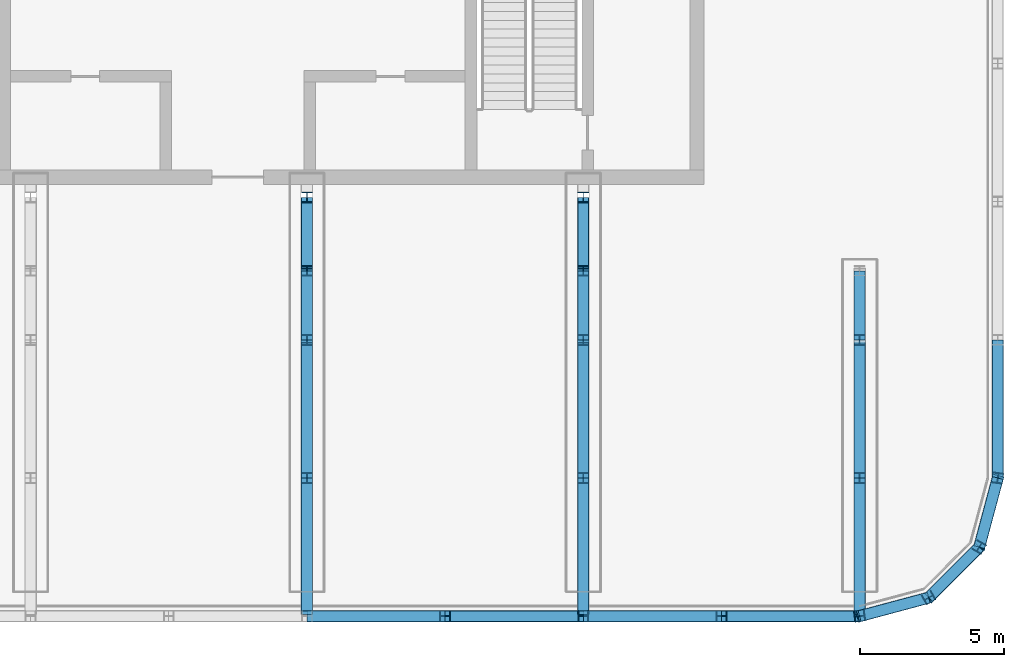
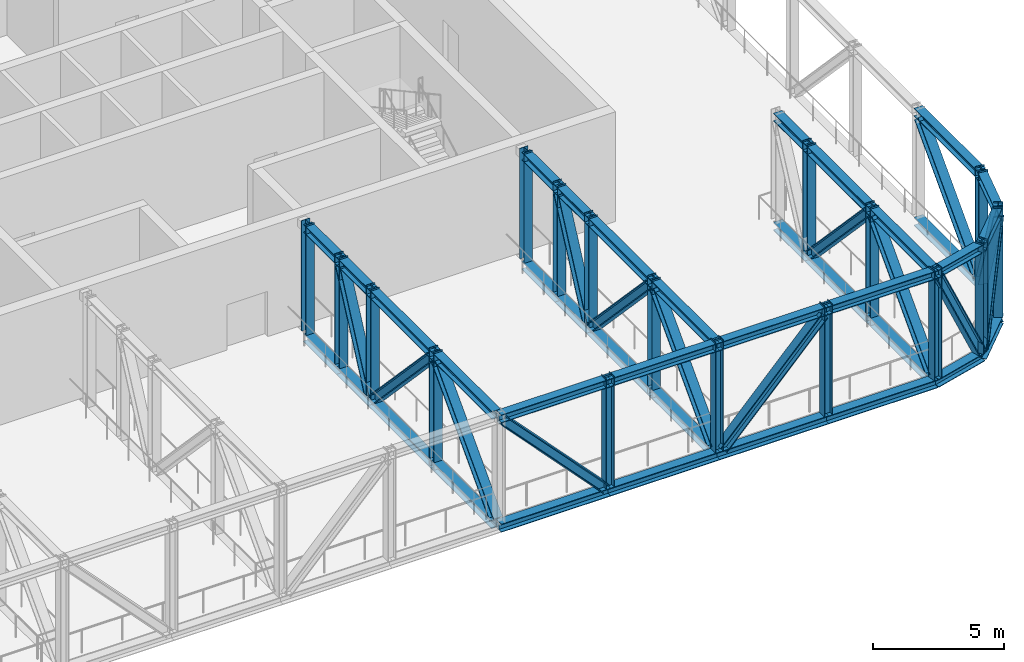
# One storey, part 3 of 16: 69 members.
"""IFC4 building model written with IfcOpenShell, lengths in metres."""

from ifc_helpers import new_model, si_unit, direction, frame, origin, origin_2d, place, context, subcontext, project, spatial, i_section, extrude, material, material_profile, profile_set, type_object, element, save


model = new_model("IFC4")

# Units and contexts
model_context = context("Model", 3, precision=1e-05, world=origin(), true_north=direction((0.0, 1.0)))
body_context = subcontext(model_context, "Body", "Model", "MODEL_VIEW")
ifc_project = project(units=[si_unit("LENGTHUNIT", "METRE"), si_unit("AREAUNIT", "SQUARE_METRE"), si_unit("VOLUMEUNIT", "CUBIC_METRE"), si_unit("PLANEANGLEUNIT", "RADIAN"), si_unit("MASSUNIT", "GRAM", prefix="KILO")], contexts=[model_context])

# Site, building, storey
site_placement = place(None, origin())
site = spatial("IfcSite", under=ifc_project, at=site_placement, CompositionType="ELEMENT")
building_placement = place(site_placement, origin())
building = spatial("IfcBuilding", under=site, at=building_placement, Name="Madar Terraces", CompositionType="ELEMENT")
storey_placement = place(building_placement, frame((0.0, 0.0, 263.199951171875)))
storey = spatial("IfcBuildingStorey", under=building, at=storey_placement, Name="L69", CompositionType="ELEMENT", Elevation=263.199951171875)

# Members
ifc_material_1 = material(Name="Steel ASTM A992 Grade 50", Category="steel")
ifc_material_profile_1 = material_profile(ifc_material_1, i_section(OverallWidth=0.396240234375, OverallDepth=0.381103515625, WebThickness=0.01904296875, FlangeThickness=0.0302734375, at=origin_2d()), Name="W14x159")
ifc_profile_set_1 = profile_set([ifc_material_profile_1], Name="Steel ASTM A992 Grade 50")
member_type_1 = type_object("IfcMemberType", Name="BC9 W14x159", PredefinedType="CHORD", material=ifc_profile_set_1)
member_1_placement = place(storey_placement, frame((33.60009765625, 0.0, -0.2294921875), z_axis=(1.0, 0.0, 0.0), x_axis=(0.0, 1.0, 0.0)))
element("IfcMember", 1, at=member_1_placement, inside=storey, type_object=member_type_1, Name="Exoskeleton truss ring bottom chord BC9", PredefinedType="CHORD", context=body_context, shape_type="SweptSolid", body=[
    extrude(i_section(OverallWidth=0.396240234375, OverallDepth=0.381103515625, WebThickness=0.01904296875, FlangeThickness=0.0302734375, at=origin_2d()), origin(), (0.0, 0.0, 1.0), 4.7998046875),
])
for number, where, z_axis, x_axis, name in (
    (2, (38.39990234375, 0.0, -0.2294921875), (1.0, 0.0, 0.0), (0.0, 1.0, 0.0), "Exoskeleton truss ring bottom chord BC9"),
    (3, (43.199951171875, 0.0, -0.2294921875), (1.0, 0.0, 0.0), (0.0, 1.0, 0.0), "Exoskeleton truss ring bottom chord BC9"),
    (4, (48.0, 0.0, -0.2294921875), (1.0, 0.0, 0.0), (0.0, 1.0, 0.0), "Exoskeleton truss ring bottom chord BC9"),
):
    element("IfcMember", number, at=place(storey_placement, frame(where, z_axis=z_axis, x_axis=x_axis)), inside=storey, type_object=member_type_1, Name=name, PredefinedType="CHORD", context=body_context, shape_type="SweptSolid", body=[
        extrude(i_section(OverallWidth=0.396240234375, OverallDepth=0.381103515625, WebThickness=0.01904296875, FlangeThickness=0.0302734375, at=origin_2d()), origin(), (0.0, 0.0, 1.0), 4.800048828125),
    ])
for number, where, z_axis, x_axis, name in (
    (5, (52.800048828125, 0.0, -0.2294921875), (0.965924366126, 0.258824494443, 0.0), (-0.258824494443, 0.965924366126, 0.0), "Exoskeleton truss ring bottom chord BC9"),
    (6, (55.199951171875, 0.64306640625, -0.2294921875), (0.707155907999, 0.70705765096, 0.0), (-0.70705765096, 0.707155907999, 0.0), "Exoskeleton truss ring bottom chord BC9"),
):
    element("IfcMember", number, at=place(storey_placement, frame(where, z_axis=z_axis, x_axis=x_axis)), inside=storey, type_object=member_type_1, Name=name, PredefinedType="CHORD", context=body_context, shape_type="SweptSolid", body=[
        extrude(i_section(OverallWidth=0.396240234375, OverallDepth=0.381103515625, WebThickness=0.01904296875, FlangeThickness=0.0302734375, at=origin_2d()), origin(), (0.0, 0.0, 1.0), 2.484619140625),
    ])
member_2_placement = place(storey_placement, frame((56.95703125, 2.39990234375, -0.2294921875), z_axis=(0.258799930484, 0.965930947833, 0.0), x_axis=(-0.965930947833, 0.258799930484, 0.0)))
element("IfcMember", 7, at=member_2_placement, inside=storey, type_object=member_type_1, Name="Exoskeleton truss ring bottom chord BC9", PredefinedType="CHORD", context=body_context, shape_type="SweptSolid", body=[
    extrude(i_section(OverallWidth=0.396240234375, OverallDepth=0.381103515625, WebThickness=0.01904296875, FlangeThickness=0.0302734375, at=origin_2d()), origin(), (0.0, 0.0, 1.0), 2.48486328125),
])
member_3_placement = place(storey_placement, frame((57.60009765625, 4.800048828125, -0.2294921875), z_axis=(0.0, 1.0, 0.0), x_axis=(-1.0, 0.0, 0.0)))
element("IfcMember", 8, at=member_3_placement, inside=storey, type_object=member_type_1, Name="Exoskeleton truss ring bottom chord BC9", PredefinedType="CHORD", context=body_context, shape_type="SweptSolid", body=[
    extrude(i_section(OverallWidth=0.396240234375, OverallDepth=0.381103515625, WebThickness=0.01904296875, FlangeThickness=0.0302734375, at=origin_2d()), origin(), (0.0, 0.0, 1.0), 4.800048828125),
])
member_4_placement = place(storey_placement, frame((33.60009765625, 0.197998046875, -0.2294921875), z_axis=(0.0, 1.0, 0.0), x_axis=(-1.0, 0.0, 0.0)))
element("IfcMember", 9, at=member_4_placement, inside=storey, type_object=member_type_1, Name="Exoskeleton truss cross S33.6 bottom chord BC9", PredefinedType="CHORD", context=body_context, shape_type="SweptSolid", body=[
    extrude(i_section(OverallWidth=0.396240234375, OverallDepth=0.381103515625, WebThickness=0.01904296875, FlangeThickness=0.0302734375, at=origin_2d()), origin(), (0.0, 0.0, 1.0), 4.60205078125),
])
member_5_placement = place(storey_placement, frame((33.60009765625, 4.800048828125, -0.2294921875), z_axis=(0.0, 1.0, 0.0), x_axis=(-1.0, 0.0, 0.0)))
element("IfcMember", 10, at=member_5_placement, inside=storey, type_object=member_type_1, Name="Exoskeleton truss cross S33.6 bottom chord BC9", PredefinedType="CHORD", context=body_context, shape_type="SweptSolid", body=[
    extrude(i_section(OverallWidth=0.396240234375, OverallDepth=0.381103515625, WebThickness=0.01904296875, FlangeThickness=0.0302734375, at=origin_2d()), origin(), (0.0, 0.0, 1.0), 4.800048828125),
])
member_6_placement = place(storey_placement, frame((33.60009765625, 9.60009765625, -0.2294921875), z_axis=(0.0, 1.0, 0.0), x_axis=(-1.0, 0.0, 0.0)))
element("IfcMember", 11, at=member_6_placement, inside=storey, type_object=member_type_1, Name="Exoskeleton truss cross S33.6 bottom chord BC9", PredefinedType="CHORD", context=body_context, shape_type="SweptSolid", body=[
    extrude(i_section(OverallWidth=0.396240234375, OverallDepth=0.381103515625, WebThickness=0.01904296875, FlangeThickness=0.0302734375, at=origin_2d()), origin(), (0.0, 0.0, 1.0), 2.39990234375),
])
member_7_placement = place(storey_placement, frame((33.60009765625, 12.0, -0.2294921875), z_axis=(0.0, 1.0, 0.0), x_axis=(-1.0, 0.0, 0.0)))
element("IfcMember", 12, at=member_7_placement, inside=storey, type_object=member_type_1, Name="Exoskeleton truss cross S33.6 bottom chord BC9", PredefinedType="CHORD", context=body_context, shape_type="SweptSolid", body=[
    extrude(i_section(OverallWidth=0.396240234375, OverallDepth=0.381103515625, WebThickness=0.01904296875, FlangeThickness=0.0302734375, at=origin_2d()), origin(), (0.0, 0.0, 1.0), 2.550048828125),
])
member_8_placement = place(storey_placement, frame((43.199951171875, 0.197998046875, -0.2294921875), z_axis=(0.0, 1.0, 0.0), x_axis=(-1.0, 0.0, 0.0)))
element("IfcMember", 13, at=member_8_placement, inside=storey, type_object=member_type_1, Name="Exoskeleton truss cross S43.2 bottom chord BC9", PredefinedType="CHORD", context=body_context, shape_type="SweptSolid", body=[
    extrude(i_section(OverallWidth=0.396240234375, OverallDepth=0.381103515625, WebThickness=0.01904296875, FlangeThickness=0.0302734375, at=origin_2d()), origin(), (0.0, 0.0, 1.0), 4.60205078125),
])
member_9_placement = place(storey_placement, frame((43.199951171875, 4.800048828125, -0.2294921875), z_axis=(0.0, 1.0, 0.0), x_axis=(-1.0, 0.0, 0.0)))
element("IfcMember", 14, at=member_9_placement, inside=storey, type_object=member_type_1, Name="Exoskeleton truss cross S43.2 bottom chord BC9", PredefinedType="CHORD", context=body_context, shape_type="SweptSolid", body=[
    extrude(i_section(OverallWidth=0.396240234375, OverallDepth=0.381103515625, WebThickness=0.01904296875, FlangeThickness=0.0302734375, at=origin_2d()), origin(), (0.0, 0.0, 1.0), 4.800048828125),
])
member_10_placement = place(storey_placement, frame((43.199951171875, 9.60009765625, -0.2294921875), z_axis=(0.0, 1.0, 0.0), x_axis=(-1.0, 0.0, 0.0)))
element("IfcMember", 15, at=member_10_placement, inside=storey, type_object=member_type_1, Name="Exoskeleton truss cross S43.2 bottom chord BC9", PredefinedType="CHORD", context=body_context, shape_type="SweptSolid", body=[
    extrude(i_section(OverallWidth=0.396240234375, OverallDepth=0.381103515625, WebThickness=0.01904296875, FlangeThickness=0.0302734375, at=origin_2d()), origin(), (0.0, 0.0, 1.0), 2.39990234375),
])
member_11_placement = place(storey_placement, frame((43.199951171875, 12.0, -0.2294921875), z_axis=(0.0, 1.0, 0.0), x_axis=(-1.0, 0.0, 0.0)))
element("IfcMember", 16, at=member_11_placement, inside=storey, type_object=member_type_1, Name="Exoskeleton truss cross S43.2 bottom chord BC9", PredefinedType="CHORD", context=body_context, shape_type="SweptSolid", body=[
    extrude(i_section(OverallWidth=0.396240234375, OverallDepth=0.381103515625, WebThickness=0.01904296875, FlangeThickness=0.0302734375, at=origin_2d()), origin(), (0.0, 0.0, 1.0), 2.550048828125),
])
member_12_placement = place(storey_placement, frame((52.800048828125, 0.197998046875, -0.2294921875), z_axis=(0.0, 1.0, 0.0), x_axis=(-1.0, 0.0, 0.0)))
element("IfcMember", 17, at=member_12_placement, inside=storey, type_object=member_type_1, Name="Exoskeleton truss cross S52.8 bottom chord BC9", PredefinedType="CHORD", context=body_context, shape_type="SweptSolid", body=[
    extrude(i_section(OverallWidth=0.396240234375, OverallDepth=0.381103515625, WebThickness=0.01904296875, FlangeThickness=0.0302734375, at=origin_2d()), origin(), (0.0, 0.0, 1.0), 4.60205078125),
])
member_13_placement = place(storey_placement, frame((52.800048828125, 4.800048828125, -0.2294921875), z_axis=(0.0, 1.0, 0.0), x_axis=(-1.0, 0.0, 0.0)))
element("IfcMember", 18, at=member_13_placement, inside=storey, type_object=member_type_1, Name="Exoskeleton truss cross S52.8 bottom chord BC9", PredefinedType="CHORD", context=body_context, shape_type="SweptSolid", body=[
    extrude(i_section(OverallWidth=0.396240234375, OverallDepth=0.381103515625, WebThickness=0.01904296875, FlangeThickness=0.0302734375, at=origin_2d()), origin(), (0.0, 0.0, 1.0), 4.800048828125),
])
member_14_placement = place(storey_placement, frame((52.800048828125, 9.60009765625, -0.2294921875), z_axis=(0.0, 1.0, 0.0), x_axis=(-1.0, 0.0, 0.0)))
element("IfcMember", 19, at=member_14_placement, inside=storey, type_object=member_type_1, Name="Exoskeleton truss cross S52.8 bottom chord BC9", PredefinedType="CHORD", context=body_context, shape_type="SweptSolid", body=[
    extrude(i_section(OverallWidth=0.396240234375, OverallDepth=0.381103515625, WebThickness=0.01904296875, FlangeThickness=0.0302734375, at=origin_2d()), origin(), (0.0, 0.0, 1.0), 2.39990234375),
])
ifc_material_2 = material(Name="Steel ASTM A992 Grade 50", Category="steel")
ifc_material_profile_2 = material_profile(ifc_material_2, i_section(OverallWidth=0.373291015625, OverallDepth=0.373291015625, WebThickness=0.016357421875, FlangeThickness=0.026123046875, at=origin_2d()), Name="W14x132")
ifc_profile_set_2 = profile_set([ifc_material_profile_2], Name="Steel ASTM A992 Grade 50")
member_type_2 = type_object("IfcMemberType", Name="TC9 W14x132", PredefinedType="CHORD", material=ifc_profile_set_2)
member_15_placement = place(storey_placement, frame((33.60009765625, 0.0, 4.84326171875), z_axis=(1.0, 0.0, 0.0), x_axis=(0.0, 1.0, 0.0)))
element("IfcMember", 20, at=member_15_placement, inside=storey, type_object=member_type_2, Name="Exoskeleton truss ring top chord TC9", PredefinedType="CHORD", context=body_context, shape_type="SweptSolid", body=[
    extrude(i_section(OverallWidth=0.373291015625, OverallDepth=0.373291015625, WebThickness=0.016357421875, FlangeThickness=0.026123046875, at=origin_2d()), origin(), (0.0, 0.0, 1.0), 4.7998046875),
])
for number, where, z_axis, x_axis, name in (
    (21, (38.39990234375, 0.0, 4.84326171875), (1.0, 0.0, 0.0), (0.0, 1.0, 0.0), "Exoskeleton truss ring top chord TC9"),
    (22, (43.199951171875, 0.0, 4.84326171875), (1.0, 0.0, 0.0), (0.0, 1.0, 0.0), "Exoskeleton truss ring top chord TC9"),
    (23, (48.0, 0.0, 4.84326171875), (1.0, 0.0, 0.0), (0.0, 1.0, 0.0), "Exoskeleton truss ring top chord TC9"),
):
    element("IfcMember", number, at=place(storey_placement, frame(where, z_axis=z_axis, x_axis=x_axis)), inside=storey, type_object=member_type_2, Name=name, PredefinedType="CHORD", context=body_context, shape_type="SweptSolid", body=[
        extrude(i_section(OverallWidth=0.373291015625, OverallDepth=0.373291015625, WebThickness=0.016357421875, FlangeThickness=0.026123046875, at=origin_2d()), origin(), (0.0, 0.0, 1.0), 4.800048828125),
    ])
for number, where, z_axis, x_axis, name in (
    (24, (52.800048828125, 0.0, 4.84326171875), (0.965924366126, 0.258824494443, 0.0), (-0.258824494443, 0.965924366126, 0.0), "Exoskeleton truss ring top chord TC9"),
    (25, (55.199951171875, 0.64306640625, 4.84326171875), (0.707155907999, 0.70705765096, 0.0), (-0.70705765096, 0.707155907999, 0.0), "Exoskeleton truss ring top chord TC9"),
):
    element("IfcMember", number, at=place(storey_placement, frame(where, z_axis=z_axis, x_axis=x_axis)), inside=storey, type_object=member_type_2, Name=name, PredefinedType="CHORD", context=body_context, shape_type="SweptSolid", body=[
        extrude(i_section(OverallWidth=0.373291015625, OverallDepth=0.373291015625, WebThickness=0.016357421875, FlangeThickness=0.026123046875, at=origin_2d()), origin(), (0.0, 0.0, 1.0), 2.484619140625),
    ])
member_16_placement = place(storey_placement, frame((56.95703125, 2.39990234375, 4.84326171875), z_axis=(0.258799930484, 0.965930947833, 0.0), x_axis=(-0.965930947833, 0.258799930484, 0.0)))
element("IfcMember", 26, at=member_16_placement, inside=storey, type_object=member_type_2, Name="Exoskeleton truss ring top chord TC9", PredefinedType="CHORD", context=body_context, shape_type="SweptSolid", body=[
    extrude(i_section(OverallWidth=0.373291015625, OverallDepth=0.373291015625, WebThickness=0.016357421875, FlangeThickness=0.026123046875, at=origin_2d()), origin(), (0.0, 0.0, 1.0), 2.48486328125),
])
member_17_placement = place(storey_placement, frame((57.60009765625, 4.800048828125, 4.84326171875), z_axis=(0.0, 1.0, 0.0), x_axis=(-1.0, 0.0, 0.0)))
element("IfcMember", 27, at=member_17_placement, inside=storey, type_object=member_type_2, Name="Exoskeleton truss ring top chord TC9", PredefinedType="CHORD", context=body_context, shape_type="SweptSolid", body=[
    extrude(i_section(OverallWidth=0.373291015625, OverallDepth=0.373291015625, WebThickness=0.016357421875, FlangeThickness=0.026123046875, at=origin_2d()), origin(), (0.0, 0.0, 1.0), 4.800048828125),
])
member_18_placement = place(storey_placement, frame((33.60009765625, 0.186767578125, 4.84326171875), z_axis=(0.0, 1.0, 0.0), x_axis=(-1.0, 0.0, 0.0)))
element("IfcMember", 28, at=member_18_placement, inside=storey, type_object=member_type_2, Name="Exoskeleton truss cross S33.6 top chord TC9", PredefinedType="CHORD", context=body_context, shape_type="SweptSolid", body=[
    extrude(i_section(OverallWidth=0.373291015625, OverallDepth=0.373291015625, WebThickness=0.016357421875, FlangeThickness=0.026123046875, at=origin_2d()), origin(), (0.0, 0.0, 1.0), 4.61328125),
])
member_19_placement = place(storey_placement, frame((33.60009765625, 4.800048828125, 4.84326171875), z_axis=(0.0, 1.0, 0.0), x_axis=(-1.0, 0.0, 0.0)))
element("IfcMember", 29, at=member_19_placement, inside=storey, type_object=member_type_2, Name="Exoskeleton truss cross S33.6 top chord TC9", PredefinedType="CHORD", context=body_context, shape_type="SweptSolid", body=[
    extrude(i_section(OverallWidth=0.373291015625, OverallDepth=0.373291015625, WebThickness=0.016357421875, FlangeThickness=0.026123046875, at=origin_2d()), origin(), (0.0, 0.0, 1.0), 4.800048828125),
])
member_20_placement = place(storey_placement, frame((33.60009765625, 9.60009765625, 4.84326171875), z_axis=(0.0, 1.0, 0.0), x_axis=(-1.0, 0.0, 0.0)))
element("IfcMember", 30, at=member_20_placement, inside=storey, type_object=member_type_2, Name="Exoskeleton truss cross S33.6 top chord TC9", PredefinedType="CHORD", context=body_context, shape_type="SweptSolid", body=[
    extrude(i_section(OverallWidth=0.373291015625, OverallDepth=0.373291015625, WebThickness=0.016357421875, FlangeThickness=0.026123046875, at=origin_2d()), origin(), (0.0, 0.0, 1.0), 2.39990234375),
])
member_21_placement = place(storey_placement, frame((33.60009765625, 12.0, 4.84326171875), z_axis=(0.0, 1.0, 0.0), x_axis=(-1.0, 0.0, 0.0)))
element("IfcMember", 31, at=member_21_placement, inside=storey, type_object=member_type_2, Name="Exoskeleton truss cross S33.6 top chord TC9", PredefinedType="CHORD", context=body_context, shape_type="SweptSolid", body=[
    extrude(i_section(OverallWidth=0.373291015625, OverallDepth=0.373291015625, WebThickness=0.016357421875, FlangeThickness=0.026123046875, at=origin_2d()), origin(), (0.0, 0.0, 1.0), 2.550048828125),
])
member_22_placement = place(storey_placement, frame((43.199951171875, 0.186767578125, 4.84326171875), z_axis=(0.0, 1.0, 0.0), x_axis=(-1.0, 0.0, 0.0)))
element("IfcMember", 32, at=member_22_placement, inside=storey, type_object=member_type_2, Name="Exoskeleton truss cross S43.2 top chord TC9", PredefinedType="CHORD", context=body_context, shape_type="SweptSolid", body=[
    extrude(i_section(OverallWidth=0.373291015625, OverallDepth=0.373291015625, WebThickness=0.016357421875, FlangeThickness=0.026123046875, at=origin_2d()), origin(), (0.0, 0.0, 1.0), 4.61328125),
])
member_23_placement = place(storey_placement, frame((43.199951171875, 4.800048828125, 4.84326171875), z_axis=(0.0, 1.0, 0.0), x_axis=(-1.0, 0.0, 0.0)))
element("IfcMember", 33, at=member_23_placement, inside=storey, type_object=member_type_2, Name="Exoskeleton truss cross S43.2 top chord TC9", PredefinedType="CHORD", context=body_context, shape_type="SweptSolid", body=[
    extrude(i_section(OverallWidth=0.373291015625, OverallDepth=0.373291015625, WebThickness=0.016357421875, FlangeThickness=0.026123046875, at=origin_2d()), origin(), (0.0, 0.0, 1.0), 4.800048828125),
])
member_24_placement = place(storey_placement, frame((43.199951171875, 9.60009765625, 4.84326171875), z_axis=(0.0, 1.0, 0.0), x_axis=(-1.0, 0.0, 0.0)))
element("IfcMember", 34, at=member_24_placement, inside=storey, type_object=member_type_2, Name="Exoskeleton truss cross S43.2 top chord TC9", PredefinedType="CHORD", context=body_context, shape_type="SweptSolid", body=[
    extrude(i_section(OverallWidth=0.373291015625, OverallDepth=0.373291015625, WebThickness=0.016357421875, FlangeThickness=0.026123046875, at=origin_2d()), origin(), (0.0, 0.0, 1.0), 2.39990234375),
])
member_25_placement = place(storey_placement, frame((43.199951171875, 12.0, 4.84326171875), z_axis=(0.0, 1.0, 0.0), x_axis=(-1.0, 0.0, 0.0)))
element("IfcMember", 35, at=member_25_placement, inside=storey, type_object=member_type_2, Name="Exoskeleton truss cross S43.2 top chord TC9", PredefinedType="CHORD", context=body_context, shape_type="SweptSolid", body=[
    extrude(i_section(OverallWidth=0.373291015625, OverallDepth=0.373291015625, WebThickness=0.016357421875, FlangeThickness=0.026123046875, at=origin_2d()), origin(), (0.0, 0.0, 1.0), 2.550048828125),
])
member_26_placement = place(storey_placement, frame((52.800048828125, 0.186767578125, 4.84326171875), z_axis=(0.0, 1.0, 0.0), x_axis=(-1.0, 0.0, 0.0)))
element("IfcMember", 36, at=member_26_placement, inside=storey, type_object=member_type_2, Name="Exoskeleton truss cross S52.8 top chord TC9", PredefinedType="CHORD", context=body_context, shape_type="SweptSolid", body=[
    extrude(i_section(OverallWidth=0.373291015625, OverallDepth=0.373291015625, WebThickness=0.016357421875, FlangeThickness=0.026123046875, at=origin_2d()), origin(), (0.0, 0.0, 1.0), 4.61328125),
])
member_27_placement = place(storey_placement, frame((52.800048828125, 4.800048828125, 4.84326171875), z_axis=(0.0, 1.0, 0.0), x_axis=(-1.0, 0.0, 0.0)))
element("IfcMember", 37, at=member_27_placement, inside=storey, type_object=member_type_2, Name="Exoskeleton truss cross S52.8 top chord TC9", PredefinedType="CHORD", context=body_context, shape_type="SweptSolid", body=[
    extrude(i_section(OverallWidth=0.373291015625, OverallDepth=0.373291015625, WebThickness=0.016357421875, FlangeThickness=0.026123046875, at=origin_2d()), origin(), (0.0, 0.0, 1.0), 4.800048828125),
])
member_28_placement = place(storey_placement, frame((52.800048828125, 9.60009765625, 4.84326171875), z_axis=(0.0, 1.0, 0.0), x_axis=(-1.0, 0.0, 0.0)))
element("IfcMember", 38, at=member_28_placement, inside=storey, type_object=member_type_2, Name="Exoskeleton truss cross S52.8 top chord TC9", PredefinedType="CHORD", context=body_context, shape_type="SweptSolid", body=[
    extrude(i_section(OverallWidth=0.373291015625, OverallDepth=0.373291015625, WebThickness=0.016357421875, FlangeThickness=0.026123046875, at=origin_2d()), origin(), (0.0, 0.0, 1.0), 2.39990234375),
])
ifc_material_3 = material(Name="Steel ASTM A992 Grade 50", Category="steel")
ifc_material_profile_3 = material_profile(ifc_material_3, i_section(OverallWidth=0.4013671875, OverallDepth=0.398681640625, WebThickness=0.02490234375, FlangeThickness=0.03955078125, at=origin_2d()), Name="W14x211")
ifc_profile_set_3 = profile_set([ifc_material_profile_3], Name="Steel ASTM A992 Grade 50")
member_type_3 = type_object("IfcMemberType", Name="TD9 W14x211", PredefinedType="BRACE", material=ifc_profile_set_3)
for number, where, z_axis, x_axis, name in (
    (39, (33.776611328125, 0.0, 4.65673828125), (0.687293038858, 0.0, -0.726380257673), (0.0, 1.0, 0.0), "Exoskeleton truss ring diagonal TD9"),
    (40, (43.38037109375, 0.0, -0.0390625), (0.687273111974, 0.0, 0.726399111754), (0.0, 1.0, 0.0), "Exoskeleton truss ring diagonal TD9"),
):
    element("IfcMember", number, at=place(storey_placement, frame(where, z_axis=z_axis, x_axis=x_axis)), inside=storey, type_object=member_type_3, Name=name, PredefinedType="BRACE", context=body_context, shape_type="SweptSolid", body=[
        extrude(i_section(OverallWidth=0.4013671875, OverallDepth=0.398681640625, WebThickness=0.02490234375, FlangeThickness=0.03955078125, at=origin_2d()), origin(), (0.0, 0.0, 1.0), 6.464599609375),
    ])
member_29_placement = place(storey_placement, frame((52.888427734375, 0.023681640625, 4.65673828125), z_axis=(0.424851960278, 0.113835485125, -0.89807699791), x_axis=(-0.258812141374, 0.965927676111, 0.0)))
element("IfcMember", 41, at=member_29_placement, inside=storey, type_object=member_type_3, Name="Exoskeleton truss ring diagonal TD9", PredefinedType="BRACE", context=body_context, shape_type="SweptSolid", body=[
    extrude(i_section(OverallWidth=0.4013671875, OverallDepth=0.398681640625, WebThickness=0.02490234375, FlangeThickness=0.03955078125, at=origin_2d()), origin(), (0.0, 0.0, 1.0), 5.228759765625),
])
member_30_placement = place(storey_placement, frame((55.265869140625, 0.708984375, -0.0390625), z_axis=(0.311053387591, 0.311053387591, 0.898048762672), x_axis=(-0.707106781187, 0.707106781187, 0.0)))
element("IfcMember", 42, at=member_30_placement, inside=storey, type_object=member_type_3, Name="Exoskeleton truss ring diagonal TD9", PredefinedType="BRACE", context=body_context, shape_type="SweptSolid", body=[
    extrude(i_section(OverallWidth=0.4013671875, OverallDepth=0.398681640625, WebThickness=0.02490234375, FlangeThickness=0.03955078125, at=origin_2d()), origin(), (0.0, 0.0, 1.0), 5.22900390625),
])
member_31_placement = place(storey_placement, frame((56.98046875, 2.48828125, 4.65673828125), z_axis=(0.113879312726, 0.424887964659, -0.89805440794), x_axis=(-0.965908248011, 0.25888463922, 0.0)))
element("IfcMember", 43, at=member_31_placement, inside=storey, type_object=member_type_3, Name="Exoskeleton truss ring diagonal TD9", PredefinedType="BRACE", context=body_context, shape_type="SweptSolid", body=[
    extrude(i_section(OverallWidth=0.4013671875, OverallDepth=0.398681640625, WebThickness=0.02490234375, FlangeThickness=0.03955078125, at=origin_2d()), origin(), (0.0, 0.0, 1.0), 5.228759765625),
])
member_32_placement = place(storey_placement, frame((57.60009765625, 4.980224609375, -0.0390625), z_axis=(0.0, 0.687293038858, 0.726380257673), x_axis=(-1.0, 0.0, 0.0)))
element("IfcMember", 44, at=member_32_placement, inside=storey, type_object=member_type_3, Name="Exoskeleton truss ring diagonal TD9", PredefinedType="BRACE", context=body_context, shape_type="SweptSolid", body=[
    extrude(i_section(OverallWidth=0.4013671875, OverallDepth=0.398681640625, WebThickness=0.02490234375, FlangeThickness=0.03955078125, at=origin_2d()), origin(), (0.0, 0.0, 1.0), 6.464599609375),
])
member_33_placement = place(storey_placement, frame((33.60009765625, 0.197998046875, -0.02001953125), z_axis=(0.0, 0.687309099072, 0.726365061338), x_axis=(-1.0, 0.0, 0.0)))
element("IfcMember", 45, at=member_33_placement, inside=storey, type_object=member_type_3, Name="Exoskeleton truss cross S33.6 diagonal TD9", PredefinedType="BRACE", context=body_context, shape_type="SweptSolid", body=[
    extrude(i_section(OverallWidth=0.4013671875, OverallDepth=0.398681640625, WebThickness=0.02490234375, FlangeThickness=0.03955078125, at=origin_2d()), origin(), (0.0, 0.0, 1.0), 6.4384765625),
])
member_34_placement = place(storey_placement, frame((33.60009765625, 4.9765625, 4.65673828125), z_axis=(0.0, 0.687293038858, -0.726380257673), x_axis=(-1.0, 0.0, 0.0)))
element("IfcMember", 46, at=member_34_placement, inside=storey, type_object=member_type_3, Name="Exoskeleton truss cross S33.6 diagonal TD9", PredefinedType="BRACE", context=body_context, shape_type="SweptSolid", body=[
    extrude(i_section(OverallWidth=0.4013671875, OverallDepth=0.398681640625, WebThickness=0.02490234375, FlangeThickness=0.03955078125, at=origin_2d()), origin(), (0.0, 0.0, 1.0), 6.464599609375),
])
member_35_placement = place(storey_placement, frame((33.60009765625, 9.690185546875, -0.0390625), z_axis=(0.0, 0.427631731749, 0.903953041923), x_axis=(-1.0, 0.0, 0.0)))
element("IfcMember", 47, at=member_35_placement, inside=storey, type_object=member_type_3, Name="Exoskeleton truss cross S33.6 diagonal TD9", PredefinedType="BRACE", context=body_context, shape_type="SweptSolid", body=[
    extrude(i_section(OverallWidth=0.4013671875, OverallDepth=0.398681640625, WebThickness=0.02490234375, FlangeThickness=0.03955078125, at=origin_2d()), origin(), (0.0, 0.0, 1.0), 5.19482421875),
])
member_36_placement = place(storey_placement, frame((43.199951171875, 0.197998046875, -0.02001953125), z_axis=(0.0, 0.687309099072, 0.726365061338), x_axis=(-1.0, 0.0, 0.0)))
element("IfcMember", 48, at=member_36_placement, inside=storey, type_object=member_type_3, Name="Exoskeleton truss cross S43.2 diagonal TD9", PredefinedType="BRACE", context=body_context, shape_type="SweptSolid", body=[
    extrude(i_section(OverallWidth=0.4013671875, OverallDepth=0.398681640625, WebThickness=0.02490234375, FlangeThickness=0.03955078125, at=origin_2d()), origin(), (0.0, 0.0, 1.0), 6.4384765625),
])
member_37_placement = place(storey_placement, frame((43.199951171875, 4.9765625, 4.65673828125), z_axis=(0.0, 0.687293038858, -0.726380257673), x_axis=(-1.0, 0.0, 0.0)))
element("IfcMember", 49, at=member_37_placement, inside=storey, type_object=member_type_3, Name="Exoskeleton truss cross S43.2 diagonal TD9", PredefinedType="BRACE", context=body_context, shape_type="SweptSolid", body=[
    extrude(i_section(OverallWidth=0.4013671875, OverallDepth=0.398681640625, WebThickness=0.02490234375, FlangeThickness=0.03955078125, at=origin_2d()), origin(), (0.0, 0.0, 1.0), 6.464599609375),
])
member_38_placement = place(storey_placement, frame((43.199951171875, 9.690185546875, -0.0390625), z_axis=(0.0, 0.427631731749, 0.903953041923), x_axis=(-1.0, 0.0, 0.0)))
element("IfcMember", 50, at=member_38_placement, inside=storey, type_object=member_type_3, Name="Exoskeleton truss cross S43.2 diagonal TD9", PredefinedType="BRACE", context=body_context, shape_type="SweptSolid", body=[
    extrude(i_section(OverallWidth=0.4013671875, OverallDepth=0.398681640625, WebThickness=0.02490234375, FlangeThickness=0.03955078125, at=origin_2d()), origin(), (0.0, 0.0, 1.0), 5.19482421875),
])
member_39_placement = place(storey_placement, frame((52.800048828125, 0.197998046875, -0.02001953125), z_axis=(0.0, 0.687309099072, 0.726365061338), x_axis=(-1.0, 0.0, 0.0)))
element("IfcMember", 51, at=member_39_placement, inside=storey, type_object=member_type_3, Name="Exoskeleton truss cross S52.8 diagonal TD9", PredefinedType="BRACE", context=body_context, shape_type="SweptSolid", body=[
    extrude(i_section(OverallWidth=0.4013671875, OverallDepth=0.398681640625, WebThickness=0.02490234375, FlangeThickness=0.03955078125, at=origin_2d()), origin(), (0.0, 0.0, 1.0), 6.4384765625),
])
member_40_placement = place(storey_placement, frame((52.800048828125, 4.9765625, 4.65673828125), z_axis=(0.0, 0.687293038858, -0.726380257673), x_axis=(-1.0, 0.0, 0.0)))
element("IfcMember", 52, at=member_40_placement, inside=storey, type_object=member_type_3, Name="Exoskeleton truss cross S52.8 diagonal TD9", PredefinedType="BRACE", context=body_context, shape_type="SweptSolid", body=[
    extrude(i_section(OverallWidth=0.4013671875, OverallDepth=0.398681640625, WebThickness=0.02490234375, FlangeThickness=0.03955078125, at=origin_2d()), origin(), (0.0, 0.0, 1.0), 6.464599609375),
])
ifc_material_4 = material(Name="Steel ASTM A992 Grade 50", Category="steel")
ifc_material_profile_4 = material_profile(ifc_material_4, i_section(OverallWidth=0.370849609375, OverallDepth=0.36328125, WebThickness=0.013427734375, FlangeThickness=0.021728515625, at=origin_2d()), Name="W14x109")
ifc_profile_set_4 = profile_set([ifc_material_profile_4], Name="Steel ASTM A992 Grade 50")
member_type_4 = type_object("IfcMemberType", Name="TV9 W14x109", PredefinedType="POST", material=ifc_profile_set_4)
for number, where, z_axis, x_axis, name in (
    (53, (38.39990234375, 0.0, -0.0390625), (0.0, 0.0, 1.0), (0.0, 1.0, 0.0), "Exoskeleton truss ring post TV9"),
    (54, (43.199951171875, 0.0, -0.0390625), (0.0, 0.0, 1.0), (0.0, 1.0, 0.0), "Exoskeleton truss ring post TV9"),
    (55, (48.0, 0.0, -0.0390625), (0.0, 0.0, 1.0), (0.0, 1.0, 0.0), "Exoskeleton truss ring post TV9"),
    (56, (52.800048828125, 0.0, -0.0390625), (0.0, 0.0, 1.0), (-0.130526174916, 0.991444863652, 0.0), "Exoskeleton truss ring post TV9"),
    (57, (55.199951171875, 0.64306640625, -0.0390625), (0.0, 0.0, 1.0), (-0.499999984885, 0.866025412511, 0.0), "Exoskeleton truss ring post TV9"),
    (58, (56.95703125, 2.39990234375, -0.0390625), (0.0, 0.0, 1.0), (-0.866025412511, 0.499999984885, 0.0), "Exoskeleton truss ring post TV9"),
    (59, (57.60009765625, 4.800048828125, -0.0390625), (0.0, 0.0, 1.0), (-0.991444863652, 0.130526174916, 0.0), "Exoskeleton truss ring post TV9"),
):
    element("IfcMember", number, at=place(storey_placement, frame(where, z_axis=z_axis, x_axis=x_axis)), inside=storey, type_object=member_type_4, Name=name, PredefinedType="POST", context=body_context, shape_type="SweptSolid", body=[
        extrude(i_section(OverallWidth=0.370849609375, OverallDepth=0.36328125, WebThickness=0.013427734375, FlangeThickness=0.021728515625, at=origin_2d()), origin(), (0.0, 0.0, 1.0), 5.13916015625),
    ])
member_41_placement = place(storey_placement, frame((33.60009765625, 4.800048828125, -0.419921875), z_axis=(0.0, 0.0, 1.0), x_axis=(-1.0, 0.0, 0.0)))
element("IfcMember", 60, at=member_41_placement, inside=storey, type_object=member_type_4, Name="Exoskeleton truss cross S33.6 post TV9", PredefinedType="POST", context=body_context, shape_type="SweptSolid", body=[
    extrude(i_section(OverallWidth=0.370849609375, OverallDepth=0.36328125, WebThickness=0.013427734375, FlangeThickness=0.021728515625, at=origin_2d()), origin(), (0.0, 0.0, 1.0), 5.52001953125),
])
for number, where, z_axis, x_axis, name in (
    (61, (33.60009765625, 9.60009765625, -0.0390625), (0.0, 0.0, 1.0), (-1.0, 0.0, 0.0), "Exoskeleton truss cross S33.6 post TV9"),
    (62, (33.60009765625, 12.0, -0.0390625), (0.0, 0.0, 1.0), (-1.0, 0.0, 0.0), "Exoskeleton truss cross S33.6 post TV9"),
    (63, (33.60009765625, 14.550048828125, -0.0390625), (0.0, 0.0, 1.0), (-1.0, 0.0, 0.0), "Exoskeleton truss cross S33.6 post TV9"),
):
    element("IfcMember", number, at=place(storey_placement, frame(where, z_axis=z_axis, x_axis=x_axis)), inside=storey, type_object=member_type_4, Name=name, PredefinedType="POST", context=body_context, shape_type="SweptSolid", body=[
        extrude(i_section(OverallWidth=0.370849609375, OverallDepth=0.36328125, WebThickness=0.013427734375, FlangeThickness=0.021728515625, at=origin_2d()), origin(), (0.0, 0.0, 1.0), 5.13916015625),
    ])
member_42_placement = place(storey_placement, frame((43.199951171875, 4.800048828125, -0.419921875), z_axis=(0.0, 0.0, 1.0), x_axis=(-1.0, 0.0, 0.0)))
element("IfcMember", 64, at=member_42_placement, inside=storey, type_object=member_type_4, Name="Exoskeleton truss cross S43.2 post TV9", PredefinedType="POST", context=body_context, shape_type="SweptSolid", body=[
    extrude(i_section(OverallWidth=0.370849609375, OverallDepth=0.36328125, WebThickness=0.013427734375, FlangeThickness=0.021728515625, at=origin_2d()), origin(), (0.0, 0.0, 1.0), 5.52001953125),
])
for number, where, z_axis, x_axis, name in (
    (65, (43.199951171875, 9.60009765625, -0.0390625), (0.0, 0.0, 1.0), (-1.0, 0.0, 0.0), "Exoskeleton truss cross S43.2 post TV9"),
    (66, (43.199951171875, 12.0, -0.0390625), (0.0, 0.0, 1.0), (-1.0, 0.0, 0.0), "Exoskeleton truss cross S43.2 post TV9"),
    (67, (43.199951171875, 14.550048828125, -0.0390625), (0.0, 0.0, 1.0), (-1.0, 0.0, 0.0), "Exoskeleton truss cross S43.2 post TV9"),
):
    element("IfcMember", number, at=place(storey_placement, frame(where, z_axis=z_axis, x_axis=x_axis)), inside=storey, type_object=member_type_4, Name=name, PredefinedType="POST", context=body_context, shape_type="SweptSolid", body=[
        extrude(i_section(OverallWidth=0.370849609375, OverallDepth=0.36328125, WebThickness=0.013427734375, FlangeThickness=0.021728515625, at=origin_2d()), origin(), (0.0, 0.0, 1.0), 5.13916015625),
    ])
member_43_placement = place(storey_placement, frame((52.800048828125, 4.800048828125, -0.419921875), z_axis=(0.0, 0.0, 1.0), x_axis=(-1.0, 0.0, 0.0)))
element("IfcMember", 68, at=member_43_placement, inside=storey, type_object=member_type_4, Name="Exoskeleton truss cross S52.8 post TV9", PredefinedType="POST", context=body_context, shape_type="SweptSolid", body=[
    extrude(i_section(OverallWidth=0.370849609375, OverallDepth=0.36328125, WebThickness=0.013427734375, FlangeThickness=0.021728515625, at=origin_2d()), origin(), (0.0, 0.0, 1.0), 5.52001953125),
])
member_44_placement = place(storey_placement, frame((52.800048828125, 9.60009765625, -0.0390625), z_axis=(0.0, 0.0, 1.0), x_axis=(-1.0, 0.0, 0.0)))
element("IfcMember", 69, at=member_44_placement, inside=storey, type_object=member_type_4, Name="Exoskeleton truss cross S52.8 post TV9", PredefinedType="POST", context=body_context, shape_type="SweptSolid", body=[
    extrude(i_section(OverallWidth=0.370849609375, OverallDepth=0.36328125, WebThickness=0.013427734375, FlangeThickness=0.021728515625, at=origin_2d()), origin(), (0.0, 0.0, 1.0), 5.13916015625),
])

save(model, "model.ifc")
